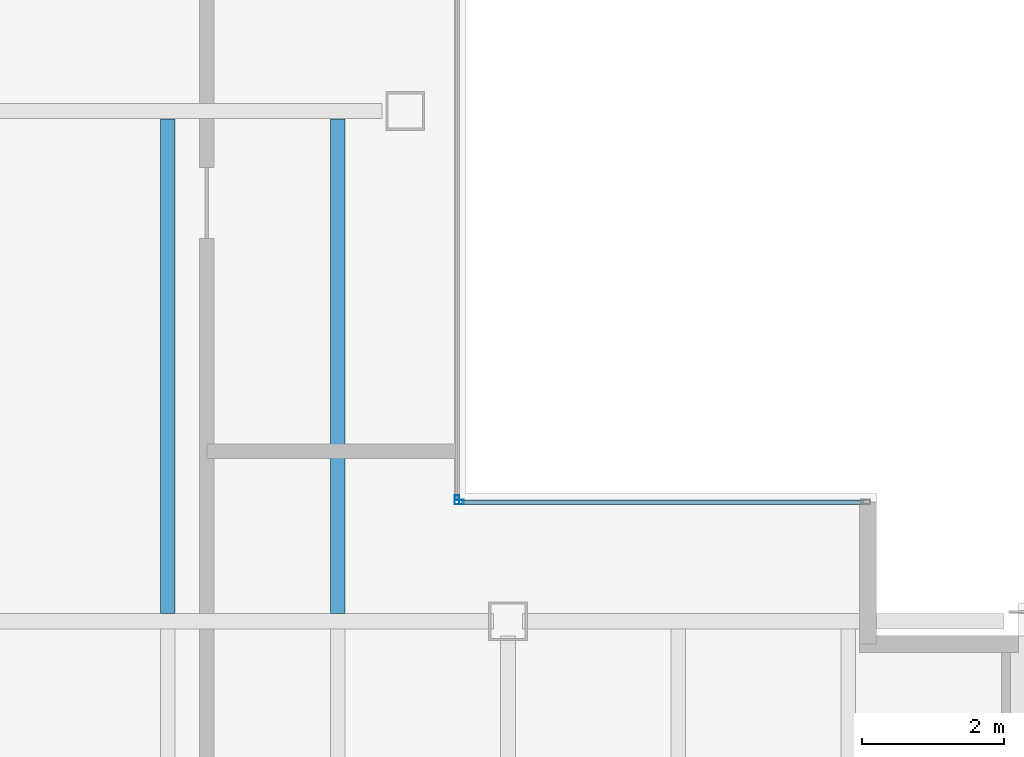
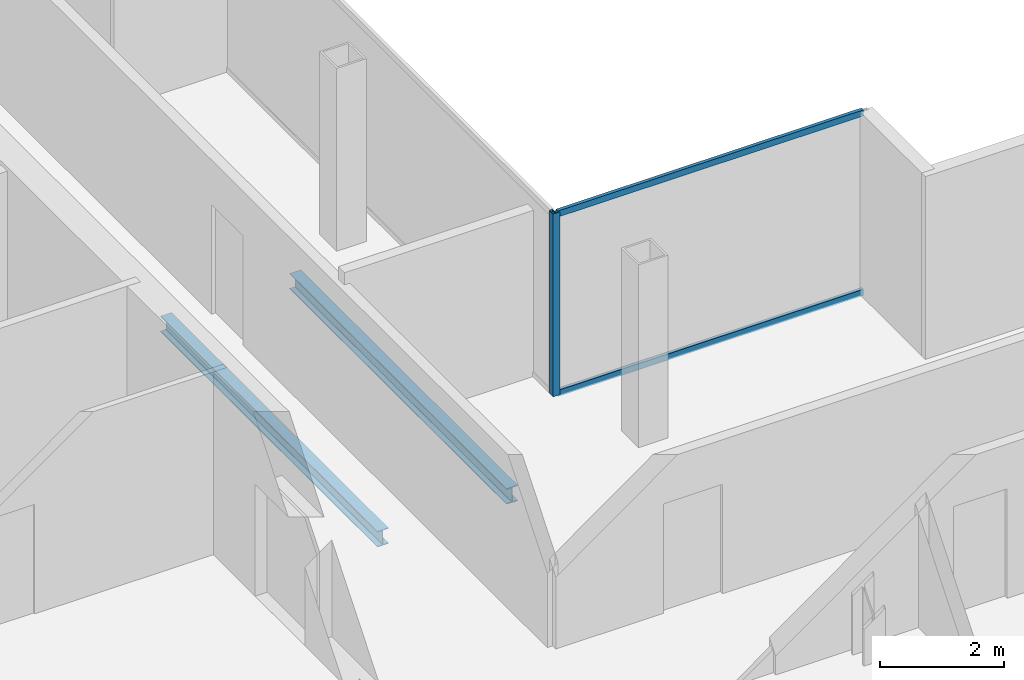
# One storey, part 9 of 16: 4 members, 2 beams, 2 elements without a shape of their own.
"""IFC4 building model written with IfcOpenShell, lengths in metres."""

from ifc_helpers import new_model, si_unit, direction, frame, origin, origin_2d, place, context, subcontext, project, spatial, hollow_rectangle, i_section, extrude, material, material_profile, profile_set, type_object, element, aggregate, save


model = new_model("IFC4")

# Units and contexts
model_context = context("Model", 3, precision=1e-05, world=origin(), true_north=direction((0.0, 1.0)))
body_context = subcontext(model_context, "Body", "Model", "MODEL_VIEW")
ifc_project = project(units=[si_unit("LENGTHUNIT", "METRE"), si_unit("AREAUNIT", "SQUARE_METRE"), si_unit("VOLUMEUNIT", "CUBIC_METRE"), si_unit("PLANEANGLEUNIT", "RADIAN"), si_unit("MASSUNIT", "GRAM", prefix="KILO")], contexts=[model_context])

# Site, building, storey
site_placement = place(None, origin())
site = spatial("IfcSite", under=ifc_project, at=site_placement, CompositionType="ELEMENT")
building_placement = place(site_placement, origin())
building = spatial("IfcBuilding", under=site, at=building_placement, Name="Cobrela Telecom Tower", CompositionType="ELEMENT")
storey_placement = place(building_placement, frame((0.0, 0.0, 293.64990234375)))
storey = spatial("IfcBuildingStorey", under=building, at=storey_placement, Name="L77", CompositionType="ELEMENT", Elevation=293.64990234375)

# Beams
ifc_material_1 = material(Name="Steel ASTM A992 Grade 50", Category="steel")
ifc_material_profile_1 = material_profile(ifc_material_1, i_section(OverallWidth=0.205078125, OverallDepth=0.31005859375, WebThickness=0.009521484375, FlangeThickness=0.016357421875, FilletRadius=0.010986328125, at=origin_2d()), Name="W12X50")
ifc_profile_set_1 = profile_set([ifc_material_profile_1], Name="Steel ASTM A992 Grade 50")
beam_type = type_object("IfcBeamType", Name="BM-JOIST-05", PredefinedType="JOIST", material=ifc_profile_set_1)
for number, where, z_axis, x_axis, name in (
    (1, (16.800048828125, 21.71142578125, -0.414794921875), (0.0, 1.0, 0.0), (-1.0, 0.0, 0.0), "L77 Secondary Composite Floor Beam J02"),
    (2, (19.199951171875, 21.71142578125, -0.414794921875), (0.0, 1.0, 0.0), (-1.0, 0.0, 0.0), "L77 Secondary Composite Floor Beam J04"),
):
    element("IfcBeam", number, at=place(storey_placement, frame(where, z_axis=z_axis, x_axis=x_axis)), inside=storey, type_object=beam_type, Name=name, PredefinedType="JOIST", context=body_context, shape_type="SweptSolid", body=[
        extrude(i_section(OverallWidth=0.205078125, OverallDepth=0.31005859375, WebThickness=0.009521484375, FlangeThickness=0.016357421875, FilletRadius=0.010986328125, at=origin_2d()), origin(), (0.0, 0.0, 1.0), 6.97705078125),
    ])

# Curtain wall, member
ifc_material_2 = material(Name="Anodized Bronze Aluminium 6063-T6", Category="aluminium")
curtain_wall_type = type_object("IfcCurtainWallType", Name="CW-SYS-DRUM", PredefinedType="USERDEFINED", material=ifc_material_2)
curtain_wall_1_placement = place(storey_placement, origin())
curtain_wall_1 = element("IfcCurtainWall", 3, at=curtain_wall_1_placement, inside=storey, type_object=curtain_wall_type, Name="L77 Unitised Bronze Curtain Wall 04", ObjectType="UNITISED CURTAIN WALL", PredefinedType="USERDEFINED")
ifc_material_profile_2 = material_profile(ifc_material_2, hollow_rectangle(XDim=0.06494140625, YDim=0.1298828125, WallThickness=0.00390625, at=origin_2d()), Name="ALU 65x130x4")
ifc_profile_set_2 = profile_set([ifc_material_profile_2], Name="Anodized Bronze Aluminium 6063-T6")
member_type_1 = type_object("IfcMemberType", Name="CW-SYS-DRUM-MUL", PredefinedType="MULLION", material=ifc_profile_set_2)
member_1_placement = place(storey_placement, frame((20.8798828125, 23.3125, 0.0), z_axis=(0.0, 0.0, 1.0), x_axis=(1.0, 0.0, 0.0)))
member_1 = element("IfcMember", 4, at=member_1_placement, type_object=member_type_1, Name="CW-DRUM mullion 2", PredefinedType="MULLION", context=body_context, shape_type="SweptSolid", body=[
    extrude(hollow_rectangle(XDim=0.06494140625, YDim=0.1298828125, WallThickness=0.00390625, at=origin_2d()), origin(), (0.0, 0.0, 1.0), 3.590087890625),
])
aggregate(curtain_wall_1, [member_1])

# Curtain wall, members
curtain_wall_2_placement = place(storey_placement, origin())
curtain_wall_2 = element("IfcCurtainWall", 5, at=curtain_wall_2_placement, inside=storey, type_object=curtain_wall_type, Name="L77 Unitised Bronze Curtain Wall 05", ObjectType="UNITISED CURTAIN WALL", PredefinedType="USERDEFINED")
member_2_placement = place(storey_placement, frame((20.91259765625, 23.280029296875, 0.0), z_axis=(0.0, 0.0, 1.0), x_axis=(0.0, 1.0, 0.0)))
member_2 = element("IfcMember", 6, at=member_2_placement, type_object=member_type_1, Name="CW-DRUM mullion 1", PredefinedType="MULLION", context=body_context, shape_type="SweptSolid", body=[
    extrude(hollow_rectangle(XDim=0.06494140625, YDim=0.1298828125, WallThickness=0.00390625, at=origin_2d()), origin(), (0.0, 0.0, 1.0), 3.590087890625),
])
ifc_material_profile_3 = material_profile(ifc_material_2, hollow_rectangle(XDim=0.06494140625, YDim=0.1201171875, WallThickness=0.00390625, at=origin_2d()), Name="ALU 65x120x4")
ifc_profile_set_3 = profile_set([ifc_material_profile_3], Name="Anodized Bronze Aluminium 6063-T6")
member_type_2 = type_object("IfcMemberType", Name="CW-SYS-DRUM-TRN", PredefinedType="USERDEFINED", material=ifc_profile_set_3)
member_3_placement = place(storey_placement, frame((20.945068359375, 23.280029296875, 0.03271484375), z_axis=(1.0, 0.0, 0.0), x_axis=(0.0, 1.0, 0.0)))
member_3 = element("IfcMember", 7, at=member_3_placement, type_object=member_type_2, Name="CW-DRUM transom 1.1", ObjectType="TRANSOM", PredefinedType="USERDEFINED", context=body_context, shape_type="SweptSolid", body=[
    extrude(hollow_rectangle(XDim=0.06494140625, YDim=0.1201171875, WallThickness=0.00390625, at=origin_2d()), origin(), (0.0, 0.0, 1.0), 5.669921875),
])
member_4_placement = place(storey_placement, frame((20.945068359375, 23.280029296875, 3.5576171875), z_axis=(1.0, 0.0, 0.0), x_axis=(0.0, 1.0, 0.0)))
member_4 = element("IfcMember", 8, at=member_4_placement, type_object=member_type_2, Name="CW-DRUM transom 1.2", ObjectType="TRANSOM", PredefinedType="USERDEFINED", context=body_context, shape_type="SweptSolid", body=[
    extrude(hollow_rectangle(XDim=0.06494140625, YDim=0.1201171875, WallThickness=0.00390625, at=origin_2d()), origin(), (0.0, 0.0, 1.0), 5.669921875),
])
aggregate(curtain_wall_2, [member_2, member_3, member_4])

save(model, "model.ifc")
